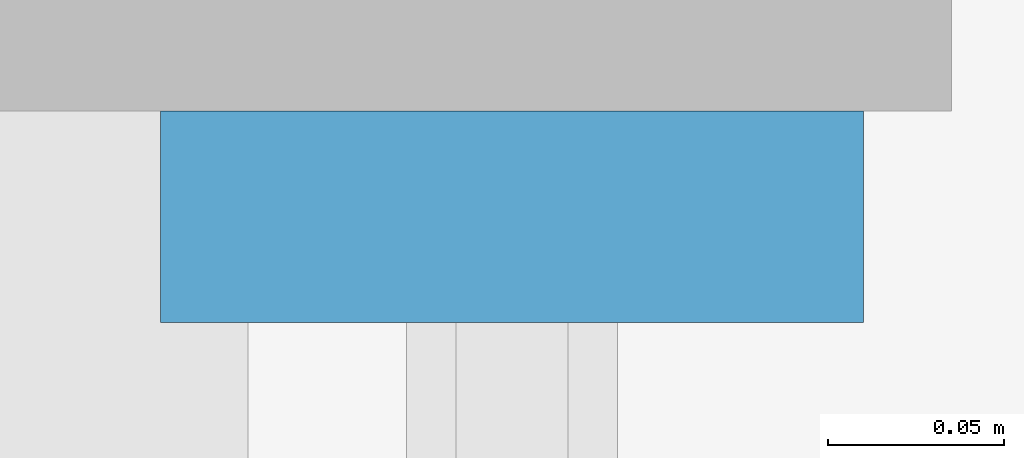
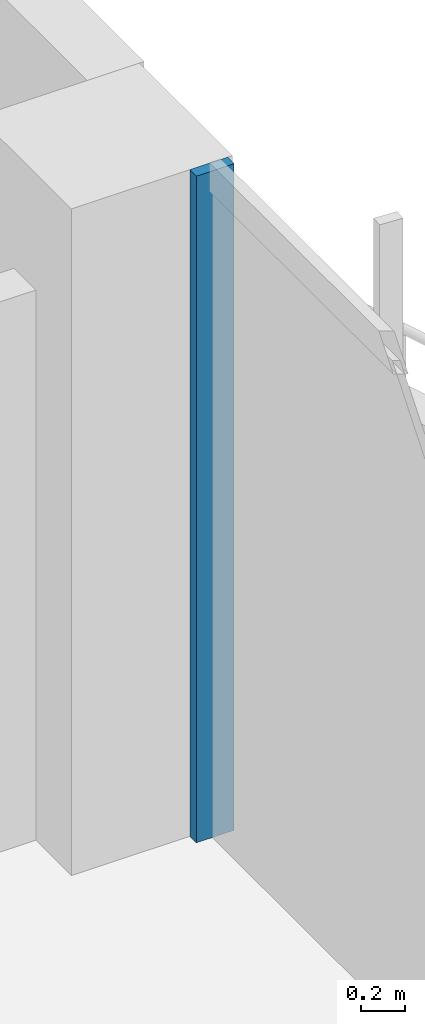
# One storey, part 8 of 27: 1 member, 1 element without a shape of its own.
"""IFC4 building model written with IfcOpenShell, lengths in metres."""

from ifc_helpers import new_model, si_unit, direction, frame, origin, origin_2d, place, context, subcontext, project, spatial, rectangle, extrude, source, transform, mapped, material, material_profile, profile_set, type_object, element, aggregate, save


model = new_model("IFC4")

# Units and contexts
model_context = context("Model", 3, precision=1e-05, world=origin(), true_north=direction((0.0, 1.0)))
body_context = subcontext(model_context, "Body", "Model", "MODEL_VIEW")
ifc_project = project(units=[si_unit("LENGTHUNIT", "METRE"), si_unit("AREAUNIT", "SQUARE_METRE"), si_unit("VOLUMEUNIT", "CUBIC_METRE"), si_unit("PLANEANGLEUNIT", "RADIAN"), si_unit("MASSUNIT", "GRAM", prefix="KILO")], contexts=[model_context])

# Site, building, storey
site_placement = place(None, origin())
site = spatial("IfcSite", under=ifc_project, at=site_placement, CompositionType="ELEMENT")
building_placement = place(site_placement, origin())
building = spatial("IfcBuilding", under=site, at=building_placement, Name="Kilnfold Tower and Market Hall", CompositionType="ELEMENT")
storey_placement = place(building_placement, frame((0.0, 0.0, 112.60009765625)))
storey = spatial("IfcBuildingStorey", under=building, at=storey_placement, Name="L26", CompositionType="ELEMENT", Elevation=112.60009765625)

# Curtain wall, member
ifc_material_1 = material(Name="Aluminium and double glazing", Category="aluminium")
curtain_wall_type = type_object("IfcCurtainWallType", Name="CW OF2 VALLEY GLAZING", PredefinedType="NOTDEFINED", material=ifc_material_1)
curtain_wall_placement = place(storey_placement, origin())
curtain_wall = element("IfcCurtainWall", 1, at=curtain_wall_placement, inside=storey, type_object=curtain_wall_type, Name="Curtain wall CW2 L26 E", PredefinedType="NOTDEFINED")
ifc_material_2 = material(Name="Aluminium", Category="aluminium")
ifc_material_profile = material_profile(ifc_material_2, rectangle(XDim=0.06005859375, YDim=0.199951171875, at=origin_2d()), Name="MULLION 60x200")
ifc_profile_set = profile_set([ifc_material_profile], Name="Aluminium")
member_type = type_object("IfcMemberType", Name="MULLION 60X200", PredefinedType="MULLION", material=ifc_profile_set)
shared_shape = source(origin(), body_context, "Body", "SweptSolid", [
    extrude(rectangle(XDim=0.06005859375, YDim=0.199951171875, at=origin_2d()), origin(), (0.0, 0.0, 1.0), 3.719970703125),
])
member_placement = place(storey_placement, frame((32.85009765625, 7.544921875, 0.0), z_axis=(0.0, 0.0, 1.0), x_axis=(0.0, 1.0, 0.0)))
member = element("IfcMember", 2, at=member_placement, type_object=member_type, Name="CW2 mullion 2", PredefinedType="MULLION", context=body_context, shape_type="MappedRepresentation", body=[
    mapped(shared_shape, transform((0.0, 0.0, 0.0))),
])
aggregate(curtain_wall, [member])

save(model, "model.ifc")
